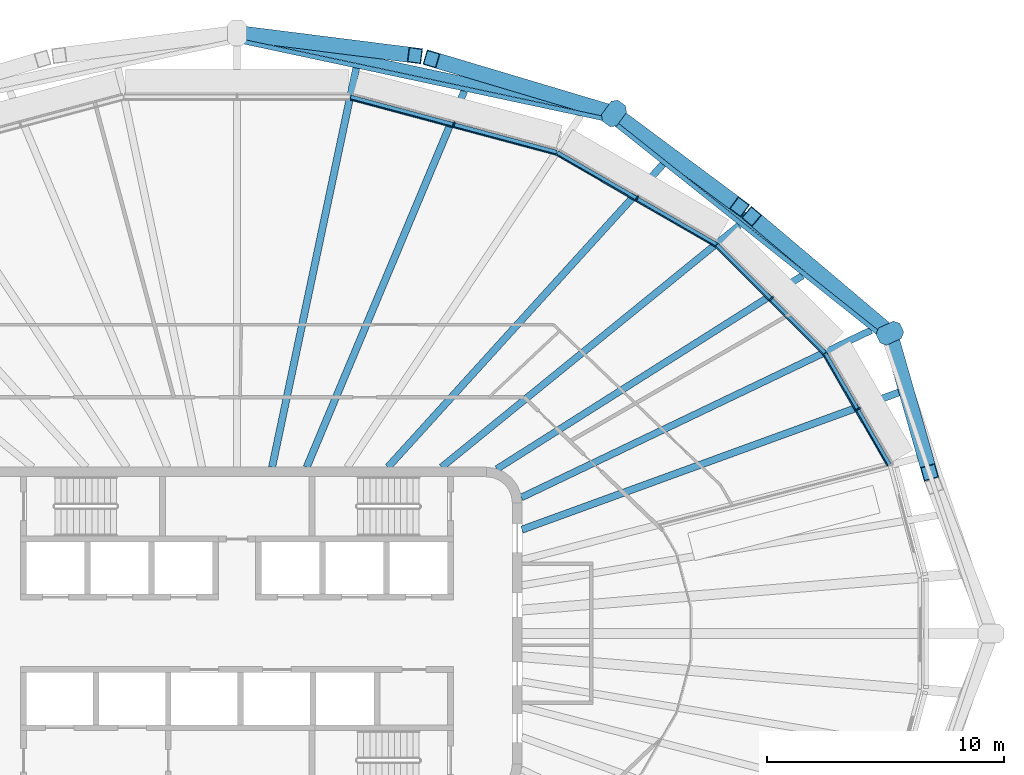
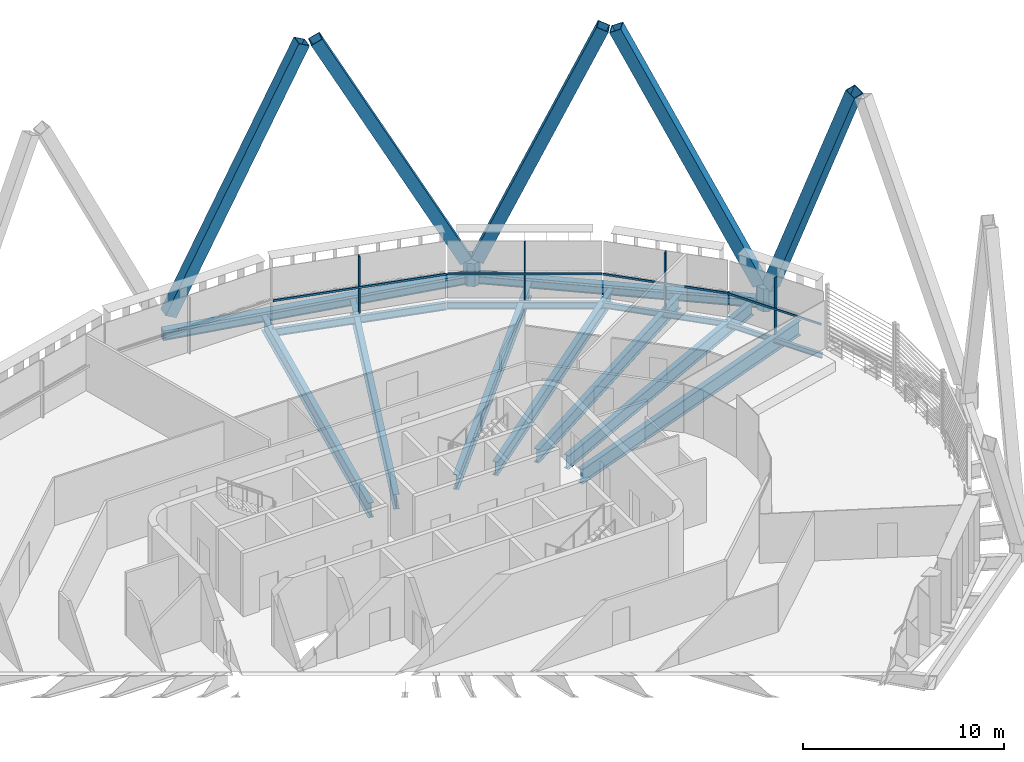
# One storey, part 8 of 22: 15 beams, 15 members, 4 elements without a shape of their own.
"""IFC4 building model written with IfcOpenShell, lengths in metres."""

from ifc_helpers import new_model, si_unit, direction, frame, origin, origin_2d, place, context, subcontext, project, spatial, polyline, rectangle, hollow_rectangle, i_section, outline, extrude, material, layer, layer_set, material_profile, profile_set, type_object, element, aggregate, save


model = new_model("IFC4")

# Units and contexts
model_context = context("Model", 3, precision=1e-05, world=origin(), true_north=direction((0.0, 1.0)))
body_context = subcontext(model_context, "Body", "Model", "MODEL_VIEW")
ifc_project = project(units=[si_unit("LENGTHUNIT", "METRE"), si_unit("AREAUNIT", "SQUARE_METRE"), si_unit("VOLUMEUNIT", "CUBIC_METRE"), si_unit("PLANEANGLEUNIT", "RADIAN"), si_unit("MASSUNIT", "GRAM", prefix="KILO")], contexts=[model_context])

# Site, building, storey
site_placement = place(None, origin())
site = spatial("IfcSite", under=ifc_project, at=site_placement, CompositionType="ELEMENT")
building_placement = place(site_placement, origin())
building = spatial("IfcBuilding", under=site, at=building_placement, Name="Sahrelin Media Tower", CompositionType="ELEMENT")
storey_placement = place(building_placement, frame((0.0, 0.0, 283.0)))
storey = spatial("IfcBuildingStorey", under=building, at=storey_placement, Name="L62", CompositionType="ELEMENT", Elevation=283.0)

# Members
ifc_material_1 = material(Name="Steel S460", Category="steel")
ifc_material_profile_1 = material_profile(ifc_material_1, hollow_rectangle(XDim=0.64990234375, YDim=0.64990234375, WallThickness=0.034912109375, at=origin_2d()), Name="Diagrid diagonal DG8")
ifc_profile_set_1 = profile_set([ifc_material_profile_1], Name="Steel S460")
member_type_1 = type_object("IfcMemberType", Name="Diagrid diagonal DG8", PredefinedType="BRACE", material=ifc_profile_set_1)
member_1_placement = place(storey_placement, frame((27.580810546875, 12.376953125, 0.699951171875), z_axis=(0.101325736201, -0.356092469212, 0.928940928452), x_axis=(0.961819462304, 0.273684712642, 0.0)))
element("IfcMember", 1, at=member_1_placement, inside=storey, type_object=member_type_1, Name="Diagrid diagonal D14-01", PredefinedType="BRACE", context=body_context, shape_type="SweptSolid", body=[
    extrude(hollow_rectangle(XDim=0.64990234375, YDim=0.64990234375, WallThickness=0.034912109375, at=origin_2d()), origin(), (0.0, 0.0, 1.0), 15.717041015625),
])
member_2_placement = place(storey_placement, frame((27.23779296875, 12.870361328125, 0.699951171875), z_axis=(-0.340774386731, 0.287854833306, 0.894992967733), x_axis=(-0.645298316968, -0.763930678869, 0.0)))
element("IfcMember", 2, at=member_2_placement, inside=storey, type_object=member_type_1, Name="Diagrid diagonal D14-02", PredefinedType="BRACE", context=body_context, shape_type="SweptSolid", body=[
    extrude(hollow_rectangle(XDim=0.64990234375, YDim=0.64990234375, WallThickness=0.034912109375, at=origin_2d()), origin(), (0.0, 0.0, 1.0), 16.31298828125),
])
member_3_placement = place(storey_placement, frame((16.121826171875, 21.722412109375, 0.699951171875), z_axis=(0.317562028427, -0.235967722545, 0.918408183771), x_axis=(0.596429054318, 0.802665797929, 0.0)))
element("IfcMember", 3, at=member_3_placement, inside=storey, type_object=member_type_1, Name="Diagrid diagonal D14-03", PredefinedType="BRACE", context=body_context, shape_type="SweptSolid", body=[
    extrude(hollow_rectangle(XDim=0.64990234375, YDim=0.64990234375, WallThickness=0.034912109375, at=origin_2d()), origin(), (0.0, 0.0, 1.0), 15.897216796875),
])
member_4_placement = place(storey_placement, frame((15.52783203125, 22.007080078125, 0.699951171875), z_axis=(-0.445117153256, 0.132902839431, 0.885554941914), x_axis=(-0.286098869613, -0.958200102696, 0.0)))
element("IfcMember", 4, at=member_4_placement, inside=storey, type_object=member_type_1, Name="Diagrid diagonal D14-04", PredefinedType="BRACE", context=body_context, shape_type="SweptSolid", body=[
    extrude(hollow_rectangle(XDim=0.64990234375, YDim=0.64990234375, WallThickness=0.034912109375, at=origin_2d()), origin(), (0.0, 0.0, 1.0), 16.487060546875),
])
member_5_placement = place(storey_placement, frame((0.343017578125, 25.247314453125, 0.699951171875), z_axis=(0.43920847256, -0.05532839218, 0.896679812782), x_axis=(0.124985158945, 0.992158611334, 0.0)))
element("IfcMember", 5, at=member_5_placement, inside=storey, type_object=member_type_1, Name="Diagrid diagonal D14-05", PredefinedType="BRACE", context=body_context, shape_type="SweptSolid", body=[
    extrude(hollow_rectangle(XDim=0.64990234375, YDim=0.64990234375, WallThickness=0.034912109375, at=origin_2d()), origin(), (0.0, 0.0, 1.0), 16.282470703125),
])
ifc_material_profile_2 = material_profile(ifc_material_1, outline(polyline([(0.35009765625, -0.39990234375), (0.550048828125, -0.199951171875), (0.550048828125, 0.199951171875), (0.35009765625, 0.39990234375), (-0.35009765625, 0.39990234375), (-0.550048828125, 0.199951171875), (-0.550048828125, -0.199951171875), (-0.35009765625, -0.39990234375), (0.35009765625, -0.39990234375)])), Name="Diagrid node block 1100")
ifc_profile_set_2 = profile_set([ifc_material_profile_2], Name="Steel S460")
member_type_2 = type_object("IfcMemberType", Name="Diagrid node block 1100", PredefinedType="USERDEFINED", material=ifc_profile_set_2)
for number, where, z_axis, x_axis, name in (
    (6, (27.50439453125, 12.645263671875, -0.699951171875), (0.0, 0.0, 1.0), (0.90857453379, 0.417722774755, 0.0), "Diagrid node N14-01"),
    (7, (15.879638671875, 21.902099609375, -0.699951171875), (0.0, 0.0, 1.0), (0.586981533995, 0.809600320374, 0.0), "Diagrid node N14-02"),
):
    element("IfcMember", number, at=place(storey_placement, frame(where, z_axis=z_axis, x_axis=x_axis)), inside=storey, type_object=member_type_2, Name=name, ObjectType="NODE", PredefinedType="USERDEFINED", context=body_context, shape_type="SweptSolid", body=[
        extrude(outline(polyline([(0.35009765625, -0.39990234375), (0.550048828125, -0.199951171875), (0.550048828125, 0.199951171875), (0.35009765625, 0.39990234375), (-0.35009765625, 0.39990234375), (-0.550048828125, 0.199951171875), (-0.550048828125, -0.199951171875), (-0.35009765625, -0.39990234375), (0.35009765625, -0.39990234375)])), origin(), (0.0, 0.0, 1.0), 1.39990234375),
    ])

# Beams
ifc_material_profile_3 = material_profile(ifc_material_1, hollow_rectangle(XDim=0.39990234375, YDim=0.60009765625, WallThickness=0.030029296875, at=origin_2d()), Name="Diagrid ring beam RB1")
ifc_profile_set_3 = profile_set([ifc_material_profile_3], Name="Steel S460")
beam_type_1 = type_object("IfcBeamType", Name="Diagrid ring beam RB1", PredefinedType="BEAM", material=ifc_profile_set_3)
beam_1_placement = place(storey_placement, frame((27.50439453125, 12.645263671875, -0.449951171875), z_axis=(-0.78227732761, 0.622930319304, 0.0), x_axis=(-0.622930319304, -0.78227732761, 0.0)))
element("IfcBeam", 8, at=beam_1_placement, inside=storey, type_object=beam_type_1, Name="Diagrid ring beam RB14-01", PredefinedType="BEAM", context=body_context, shape_type="SweptSolid", body=[
    extrude(hollow_rectangle(XDim=0.39990234375, YDim=0.60009765625, WallThickness=0.030029296875, at=origin_2d()), origin(), (0.0, 0.0, 1.0), 14.860107421875),
])
beam_2_placement = place(storey_placement, frame((15.879638671875, 21.902099609375, -0.449951171875), z_axis=(-0.977983140365, 0.208683916872, 0.0), x_axis=(-0.208683916872, -0.977983140365, 0.0)))
element("IfcBeam", 9, at=beam_2_placement, inside=storey, type_object=beam_type_1, Name="Diagrid ring beam RB14-02", PredefinedType="BEAM", context=body_context, shape_type="SweptSolid", body=[
    extrude(hollow_rectangle(XDim=0.39990234375, YDim=0.60009765625, WallThickness=0.030029296875, at=origin_2d()), origin(), (0.0, 0.0, 1.0), 16.237060546875),
])
ifc_material_2 = material(Name="Steel S355", Category="steel")
ifc_material_profile_4 = material_profile(ifc_material_2, i_section(OverallWidth=0.1650390625, OverallDepth=0.303466796875, WebThickness=0.006103515625, FlangeThickness=0.01025390625, FilletRadius=0.0087890625, at=origin_2d()), Name="UB 305x165x40")
ifc_profile_set_4 = profile_set([ifc_material_profile_4], Name="Steel S355")
beam_type_2 = type_object("IfcBeamType", Name="Edge beam EB2", PredefinedType="BEAM", material=ifc_profile_set_4)
beam_3_placement = place(storey_placement, frame((24.777587890625, 11.792236328125, -0.351806640625), z_axis=(0.500011311391, -0.866018873051, 0.0), x_axis=(0.866018873051, 0.500011311391, 0.0)))
element("IfcBeam", 10, at=beam_3_placement, inside=storey, type_object=beam_type_2, Name="Edge beam L62-23", PredefinedType="BEAM", context=body_context, shape_type="SweptSolid", body=[
    extrude(i_section(OverallWidth=0.1650390625, OverallDepth=0.303466796875, WebThickness=0.006103515625, FlangeThickness=0.01025390625, FilletRadius=0.0087890625, at=origin_2d()), origin(), (0.0, 0.0, 1.0), 5.438232421875),
])
ifc_material_profile_5 = material_profile(ifc_material_2, i_section(OverallWidth=0.17138671875, OverallDepth=0.35498046875, WebThickness=0.00732421875, FlangeThickness=0.011474609375, FilletRadius=0.01025390625, at=origin_2d()), Name="UB 356x171x51")
ifc_profile_set_5 = profile_set([ifc_material_profile_5], Name="Steel S355")
beam_type_3 = type_object("IfcBeamType", Name="Edge beam EB3", PredefinedType="BEAM", material=ifc_profile_set_5)
beam_4_placement = place(storey_placement, frame((20.213623046875, 16.361572265625, -0.327392578125), z_axis=(0.707106781187, -0.707106781187, 0.0), x_axis=(0.707106781187, 0.707106781187, 0.0)))
element("IfcBeam", 11, at=beam_4_placement, inside=storey, type_object=beam_type_3, Name="Edge beam L62-22", PredefinedType="BEAM", context=body_context, shape_type="SweptSolid", body=[
    extrude(i_section(OverallWidth=0.17138671875, OverallDepth=0.35498046875, WebThickness=0.00732421875, FlangeThickness=0.011474609375, FilletRadius=0.01025390625, at=origin_2d()), origin(), (0.0, 0.0, 1.0), 6.429443359375),
])
ifc_material_profile_6 = material_profile(ifc_material_2, i_section(OverallWidth=0.177978515625, OverallDepth=0.406494140625, WebThickness=0.0078125, FlangeThickness=0.0126953125, FilletRadius=0.01025390625, at=origin_2d()), Name="UB 406x178x60")
ifc_profile_set_6 = profile_set([ifc_material_profile_6], Name="Steel S355")
beam_type_4 = type_object("IfcBeamType", Name="Edge beam EB4", PredefinedType="BEAM", material=ifc_profile_set_6)
beam_5_placement = place(storey_placement, frame((13.4892578125, 20.248291015625, -0.353271484375), z_axis=(0.86601536123, -0.500017393812, 0.0), x_axis=(0.500017393812, 0.86601536123, 0.0)))
element("IfcBeam", 12, at=beam_5_placement, inside=storey, type_object=beam_type_4, Name="Edge beam L62-21", PredefinedType="BEAM", context=body_context, shape_type="SweptSolid", body=[
    extrude(i_section(OverallWidth=0.177978515625, OverallDepth=0.406494140625, WebThickness=0.0078125, FlangeThickness=0.0126953125, FilletRadius=0.01025390625, at=origin_2d()), origin(), (0.0, 0.0, 1.0), 7.738525390625),
])
ifc_material_profile_7 = material_profile(ifc_material_2, i_section(OverallWidth=0.1904296875, OverallDepth=0.45703125, WebThickness=0.009033203125, FlangeThickness=0.014404296875, FilletRadius=0.01025390625, at=origin_2d()), Name="UB 457x191x74")
ifc_profile_set_7 = profile_set([ifc_material_profile_7], Name="Steel S355")
beam_type_5 = type_object("IfcBeamType", Name="Edge beam EB5", PredefinedType="BEAM", material=ifc_profile_set_7)
beam_6_placement = place(storey_placement, frame((4.78662109375, 22.583984375, -0.37841796875), z_axis=(0.965926576826, -0.258816244043, 0.0), x_axis=(0.258816244043, 0.965926576826, 0.0)))
element("IfcBeam", 13, at=beam_6_placement, inside=storey, type_object=beam_type_5, Name="Edge beam L62-20", PredefinedType="BEAM", context=body_context, shape_type="SweptSolid", body=[
    extrude(i_section(OverallWidth=0.1904296875, OverallDepth=0.45703125, WebThickness=0.009033203125, FlangeThickness=0.014404296875, FilletRadius=0.01025390625, at=origin_2d()), origin(), (0.0, 0.0, 1.0), 8.982177734375),
])

# Curtain wall, member
ifc_material_3 = material(Name="Champagne anodised aluminium 6063-T6", Category="aluminium")
ifc_layer = layer(ifc_material_3, 0.14990234375)
ifc_layer_set = layer_set([ifc_layer], Name="Tower ribbon curtain wall")
curtain_wall_type = type_object("IfcCurtainWallType", Name="Tower ribbon curtain wall", PredefinedType="NOTDEFINED", material=ifc_layer_set)
curtain_wall_1_placement = place(storey_placement, frame((26.26708984375, 9.512451171875, 0.0), z_axis=(0.0, 0.0, 1.0), x_axis=(1.0, 0.0, 0.0)))
curtain_wall_1 = element("IfcCurtainWall", 14, at=curtain_wall_1_placement, inside=storey, type_object=curtain_wall_type, Name="L62:CW:L62-02", PredefinedType="NOTDEFINED")
ifc_material_profile_8 = material_profile(ifc_material_3, rectangle(XDim=0.06005859375, YDim=0.199951171875, at=origin_2d()), Name="Mullion 60x200")
ifc_profile_set_8 = profile_set([ifc_material_profile_8], Name="Champagne anodised aluminium 6063-T6")
member_type_3 = type_object("IfcMemberType", Name="Mullion 60x200 CW1C", PredefinedType="MULLION", material=ifc_profile_set_8)
member_6_placement = place(storey_placement, frame((26.1630859375, 9.452392578125, 0.0), z_axis=(0.0, 0.0, 1.0), x_axis=(-0.5, 0.866025403784, 0.0)))
member_6 = element("IfcMember", 15, at=member_6_placement, type_object=member_type_3, Name="L62:CWM:L62-02", PredefinedType="MULLION", context=body_context, shape_type="SweptSolid", body=[
    extrude(rectangle(XDim=0.06005859375, YDim=0.199951171875, at=origin_2d()), origin(), (0.0, 0.0, 1.0), 3.448486328125),
])

curtain_wall_2_placement = place(storey_placement, frame((22.593017578125, 14.1943359375, 0.0), z_axis=(0.0, 0.0, 1.0), x_axis=(1.0, 0.0, 0.0)))
curtain_wall_2 = element("IfcCurtainWall", 16, at=curtain_wall_2_placement, inside=storey, type_object=curtain_wall_type, Name="L62:CW:L62-03", PredefinedType="NOTDEFINED")
member_7_placement = place(storey_placement, frame((22.508056640625, 14.109619140625, 0.0), z_axis=(0.0, 0.0, 1.0), x_axis=(-0.707106781187, 0.707106781187, 0.0)))
member_7 = element("IfcMember", 17, at=member_7_placement, type_object=member_type_3, Name="L62:CWM:L62-03", PredefinedType="MULLION", context=body_context, shape_type="SweptSolid", body=[
    extrude(rectangle(XDim=0.06005859375, YDim=0.199951171875, at=origin_2d()), origin(), (0.0, 0.0, 1.0), 3.448486328125),
])

curtain_wall_3_placement = place(storey_placement, frame((16.9150390625, 18.443603515625, 0.0), z_axis=(0.0, 0.0, 1.0), x_axis=(1.0, 0.0, 0.0)))
curtain_wall_3 = element("IfcCurtainWall", 18, at=curtain_wall_3_placement, inside=storey, type_object=curtain_wall_type, Name="L62:CW:L62-04", PredefinedType="NOTDEFINED")
member_8_placement = place(storey_placement, frame((16.85498046875, 18.339599609375, 0.0), z_axis=(0.0, 0.0, 1.0), x_axis=(-0.86602365845, 0.500003022996, 0.0)))
member_8 = element("IfcMember", 19, at=member_8_placement, type_object=member_type_3, Name="L62:CWM:L62-04", PredefinedType="MULLION", context=body_context, shape_type="SweptSolid", body=[
    extrude(rectangle(XDim=0.06005859375, YDim=0.199951171875, at=origin_2d()), origin(), (0.0, 0.0, 1.0), 3.448486328125),
])

curtain_wall_4_placement = place(storey_placement, frame((9.163330078125, 21.56640625, 0.0), z_axis=(0.0, 0.0, 1.0), x_axis=(1.0, 0.0, 0.0)))
curtain_wall_4 = element("IfcCurtainWall", 20, at=curtain_wall_4_placement, inside=storey, type_object=curtain_wall_type, Name="L62:CW:L62-05", PredefinedType="NOTDEFINED")
member_9_placement = place(storey_placement, frame((9.13232421875, 21.45068359375, 0.0), z_axis=(0.0, 0.0, 1.0), x_axis=(-0.965927633163, 0.258812301662, 0.0)))
member_9 = element("IfcMember", 21, at=member_9_placement, type_object=member_type_3, Name="L62:CWM:L62-05", PredefinedType="MULLION", context=body_context, shape_type="SweptSolid", body=[
    extrude(rectangle(XDim=0.06005859375, YDim=0.199951171875, at=origin_2d()), origin(), (0.0, 0.0, 1.0), 3.448486328125),
])

# Beams
ifc_material_profile_9 = material_profile(ifc_material_2, i_section(OverallWidth=0.291748046875, OverallDepth=0.8349609375, WebThickness=0.013916015625, FlangeThickness=0.018798828125, FilletRadius=0.017822265625, at=origin_2d()), Name="UB 838x292x176")
ifc_profile_set_9 = profile_set([ifc_material_profile_9], Name="Steel S355")
beam_type_6 = type_object("IfcBeamType", Name="Radial primary beam PB10", PredefinedType="BEAM", material=ifc_profile_set_9)
beam_7_placement = place(storey_placement, frame((11.970703125, 5.7216796875, -0.5673828125), z_axis=(0.902234066449, 0.431246668787, 0.0), x_axis=(-0.431246668787, 0.902234066449, 0.0)))
element("IfcBeam", 22, at=beam_7_placement, inside=storey, type_object=beam_type_6, Name="Radial beam L62-03", PredefinedType="BEAM", context=body_context, shape_type="SweptSolid", body=[
    extrude(i_section(OverallWidth=0.291748046875, OverallDepth=0.8349609375, WebThickness=0.013916015625, FlangeThickness=0.018798828125, FilletRadius=0.017822265625, at=origin_2d()), origin(), (0.0, 0.0, 1.0), 16.34130859375),
])
beam_8_placement = place(storey_placement, frame((8.614501953125, 7.0, -0.5673828125), z_axis=(0.776084892008, 0.630628448769, 0.0), x_axis=(-0.630628448769, 0.776084892008, 0.0)))
element("IfcBeam", 23, at=beam_8_placement, inside=storey, type_object=beam_type_6, Name="Radial beam L62-04", PredefinedType="BEAM", context=body_context, shape_type="SweptSolid", body=[
    extrude(i_section(OverallWidth=0.291748046875, OverallDepth=0.8349609375, WebThickness=0.013916015625, FlangeThickness=0.018798828125, FilletRadius=0.017822265625, at=origin_2d()), origin(), (0.0, 0.0, 1.0), 16.163330078125),
])
ifc_material_profile_10 = material_profile(ifc_material_2, i_section(OverallWidth=0.30322265625, OverallDepth=0.903076171875, WebThickness=0.01513671875, FlangeThickness=0.020263671875, FilletRadius=0.01904296875, at=origin_2d()), Name="UB 914x305x201")
ifc_profile_set_10 = profile_set([ifc_material_profile_10], Name="Steel S355")
beam_type_7 = type_object("IfcBeamType", Name="Radial primary beam PB11", PredefinedType="BEAM", material=ifc_profile_set_10)
beam_9_placement = place(storey_placement, frame((1.475341796875, 7.0, -0.6015625), z_axis=(0.206228140051, 0.978503936758, 0.0), x_axis=(-0.978503936758, 0.206228140051, 0.0)))
element("IfcBeam", 24, at=beam_9_placement, inside=storey, type_object=beam_type_7, Name="Radial beam L62-06", PredefinedType="BEAM", context=body_context, shape_type="SweptSolid", body=[
    extrude(i_section(OverallWidth=0.30322265625, OverallDepth=0.903076171875, WebThickness=0.01513671875, FlangeThickness=0.020263671875, FilletRadius=0.01904296875, at=origin_2d()), origin(), (0.0, 0.0, 1.0), 17.1845703125),
])
ifc_material_profile_11 = material_profile(ifc_material_2, i_section(OverallWidth=0.291748046875, OverallDepth=0.8349609375, WebThickness=0.013916015625, FlangeThickness=0.018798828125, FilletRadius=0.017822265625, at=origin_2d()), Name="UB 838x292x176")
ifc_profile_set_11 = profile_set([ifc_material_profile_11], Name="Steel S355")
beam_type_8 = type_object("IfcBeamType", Name="Radial secondary beam SB10", PredefinedType="BEAM", material=ifc_profile_set_11)
beam_10_placement = place(storey_placement, frame((10.9453125, 6.92529296875, -0.5673828125), z_axis=(0.845064505268, 0.534664363817, 0.0), x_axis=(-0.534664363817, 0.845064505268, 0.0)))
element("IfcBeam", 25, at=beam_10_placement, inside=storey, type_object=beam_type_8, Name="Secondary beam L62-03", PredefinedType="BEAM", context=body_context, shape_type="SweptSolid", body=[
    extrude(i_section(OverallWidth=0.291748046875, OverallDepth=0.8349609375, WebThickness=0.013916015625, FlangeThickness=0.018798828125, FilletRadius=0.017822265625, at=origin_2d()), origin(), (0.0, 0.0, 1.0), 15.237548828125),
])
ifc_material_profile_12 = material_profile(ifc_material_2, i_section(OverallWidth=0.30322265625, OverallDepth=0.903076171875, WebThickness=0.01513671875, FlangeThickness=0.020263671875, FilletRadius=0.01904296875, at=origin_2d()), Name="UB 914x305x201")
ifc_profile_set_12 = profile_set([ifc_material_profile_12], Name="Steel S355")
beam_type_9 = type_object("IfcBeamType", Name="Radial secondary beam SB11", PredefinedType="BEAM", material=ifc_profile_set_12)
beam_11_placement = place(storey_placement, frame((12.0, 4.368408203125, -0.6015625), z_axis=(0.939678944204, 0.342057717089, 0.0), x_axis=(-0.342057717089, 0.939678944204, 0.0)))
element("IfcBeam", 26, at=beam_11_placement, inside=storey, type_object=beam_type_9, Name="Secondary beam L62-02", PredefinedType="BEAM", context=body_context, shape_type="SweptSolid", body=[
    extrude(i_section(OverallWidth=0.30322265625, OverallDepth=0.903076171875, WebThickness=0.01513671875, FlangeThickness=0.020263671875, FilletRadius=0.01904296875, at=origin_2d()), origin(), (0.0, 0.0, 1.0), 16.944091796875),
])
beam_12_placement = place(storey_placement, frame((6.355224609375, 7.0, -0.6015625), z_axis=(0.672188169789, 0.740380351168, 0.0), x_axis=(-0.740380351168, 0.672188169789, 0.0)))
element("IfcBeam", 27, at=beam_12_placement, inside=storey, type_object=beam_type_9, Name="Secondary beam L62-04", PredefinedType="BEAM", context=body_context, shape_type="SweptSolid", body=[
    extrude(i_section(OverallWidth=0.30322265625, OverallDepth=0.903076171875, WebThickness=0.01513671875, FlangeThickness=0.020263671875, FilletRadius=0.01904296875, at=origin_2d()), origin(), (0.0, 0.0, 1.0), 17.2314453125),
])
beam_13_placement = place(storey_placement, frame((2.93310546875, 7.0, -0.6015625), z_axis=(0.386479475231, 0.922298007818, 0.0), x_axis=(-0.922298007818, 0.386479475231, 0.0)))
element("IfcBeam", 28, at=beam_13_placement, inside=storey, type_object=beam_type_9, Name="Secondary beam L62-05", PredefinedType="BEAM", context=body_context, shape_type="SweptSolid", body=[
    extrude(i_section(OverallWidth=0.30322265625, OverallDepth=0.903076171875, WebThickness=0.01513671875, FlangeThickness=0.020263671875, FilletRadius=0.01904296875, at=origin_2d()), origin(), (0.0, 0.0, 1.0), 17.178466796875),
])
ifc_material_profile_13 = material_profile(ifc_material_2, i_section(OverallWidth=0.1904296875, OverallDepth=0.45703125, WebThickness=0.009033203125, FlangeThickness=0.014404296875, FilletRadius=0.01025390625, at=origin_2d()), Name="UB 457x191x74")
ifc_profile_set_13 = profile_set([ifc_material_profile_13], Name="Steel S355")
beam_type_10 = type_object("IfcBeamType", Name="Tie chord TC5", PredefinedType="BEAM", material=ifc_profile_set_13)
beam_14_placement = place(storey_placement, frame((0.0, 24.9833984375, -0.37841796875), z_axis=(0.977986194818, -0.208669601874, 0.0), x_axis=(0.208669601874, 0.977986194818, 0.0)))
element("IfcBeam", 29, at=beam_14_placement, inside=storey, type_object=beam_type_10, Name="Tie chord L62-10", PredefinedType="BEAM", context=body_context, shape_type="SweptSolid", body=[
    extrude(i_section(OverallWidth=0.1904296875, OverallDepth=0.45703125, WebThickness=0.009033203125, FlangeThickness=0.014404296875, FilletRadius=0.01025390625, at=origin_2d()), origin(), (0.0, 0.0, 1.0), 16.1025390625),
])
beam_15_placement = place(storey_placement, frame((15.748046875, 21.623291015625, -0.37841796875), z_axis=(0.782269953525, -0.622939579584, 0.0), x_axis=(0.622939579584, 0.782269953525, 0.0)))
element("IfcBeam", 30, at=beam_15_placement, inside=storey, type_object=beam_type_10, Name="Tie chord L62-11", PredefinedType="BEAM", context=body_context, shape_type="SweptSolid", body=[
    extrude(i_section(OverallWidth=0.1904296875, OverallDepth=0.45703125, WebThickness=0.009033203125, FlangeThickness=0.014404296875, FilletRadius=0.01025390625, at=origin_2d()), origin(), (0.0, 0.0, 1.0), 14.700927734375),
])

# Member
ifc_material_profile_14 = material_profile(ifc_material_3, rectangle(XDim=0.050048828125, YDim=0.1201171875, at=origin_2d()), Name="Transom 50x120")
ifc_profile_set_14 = profile_set([ifc_material_profile_14], Name="Champagne anodised aluminium 6063-T6")
member_type_4 = type_object("IfcMemberType", Name="Transom 50x120 CW1C", PredefinedType="USERDEFINED", material=ifc_profile_set_14)
member_10_placement = place(storey_placement, frame((27.406494140625, 7.048583984375, 1.60009765625), z_axis=(-0.499980420476, 0.866036707733, 0.0), x_axis=(-0.866036707733, -0.499980420476, 0.0)))
member_10 = element("IfcMember", 31, at=member_10_placement, type_object=member_type_4, Name="L62:CWT:L62-02", ObjectType="TRANSOM", PredefinedType="USERDEFINED", context=body_context, shape_type="SweptSolid", body=[
    extrude(rectangle(XDim=0.050048828125, YDim=0.1201171875, at=origin_2d()), origin(), (0.0, 0.0, 1.0), 5.406982421875),
])

aggregate(curtain_wall_1, [member_6, member_10])

member_11_placement = place(storey_placement, frame((24.681640625, 11.759033203125, 1.60009765625), z_axis=(-0.707087701391, 0.707125860468, 0.0), x_axis=(-0.707125860468, -0.707087701391, 0.0)))
member_11 = element("IfcMember", 32, at=member_11_placement, type_object=member_type_4, Name="L62:CWT:L62-03", ObjectType="TRANSOM", PredefinedType="USERDEFINED", context=body_context, shape_type="SweptSolid", body=[
    extrude(rectangle(XDim=0.050048828125, YDim=0.1201171875, at=origin_2d()), origin(), (0.0, 0.0, 1.0), 6.39794921875),
])

aggregate(curtain_wall_2, [member_7, member_11])

member_12_placement = place(storey_placement, frame((20.129638671875, 16.3046875, 1.60009765625), z_axis=(-0.866019939657, 0.500009464026, 0.0), x_axis=(-0.500009464026, -0.866019939657, 0.0)))
member_12 = element("IfcMember", 33, at=member_12_placement, type_object=member_type_4, Name="L62:CWT:L62-04", ObjectType="TRANSOM", PredefinedType="USERDEFINED", context=body_context, shape_type="SweptSolid", body=[
    extrude(rectangle(XDim=0.050048828125, YDim=0.1201171875, at=origin_2d()), origin(), (0.0, 0.0, 1.0), 7.706787109375),
])

aggregate(curtain_wall_3, [member_8, member_12])

member_13_placement = place(storey_placement, frame((13.4228515625, 20.171630859375, 1.60009765625), z_axis=(-0.96593185919, 0.258796528958, 0.0), x_axis=(-0.258796528958, -0.96593185919, 0.0)))
member_13 = element("IfcMember", 34, at=member_13_placement, type_object=member_type_4, Name="L62:CWT:L62-05", ObjectType="TRANSOM", PredefinedType="USERDEFINED", context=body_context, shape_type="SweptSolid", body=[
    extrude(rectangle(XDim=0.050048828125, YDim=0.1201171875, at=origin_2d()), origin(), (0.0, 0.0, 1.0), 8.95068359375),
])

aggregate(curtain_wall_4, [member_9, member_13])

save(model, "model.ifc")
